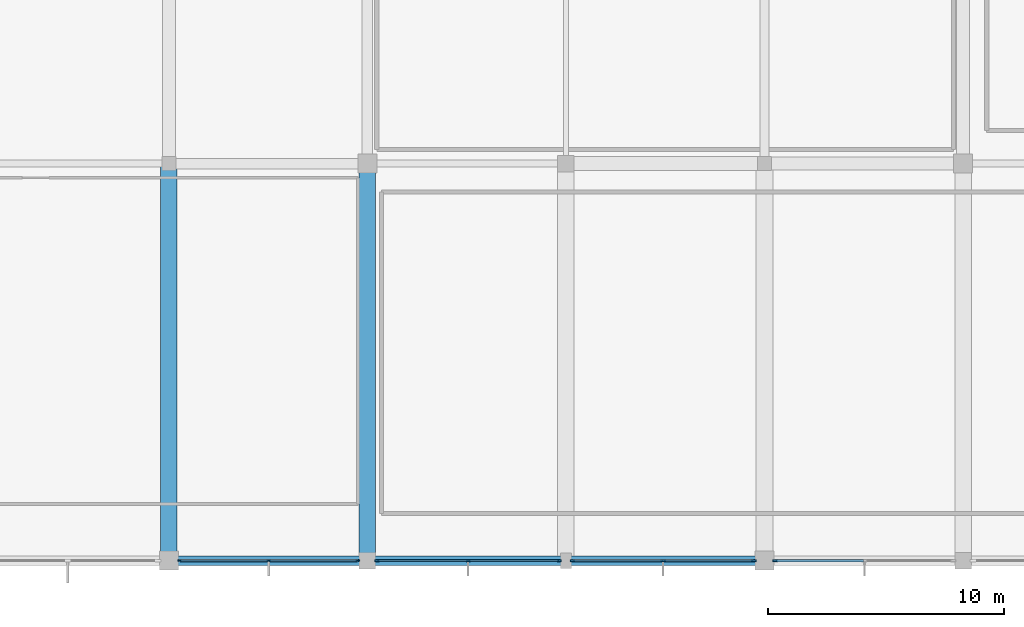
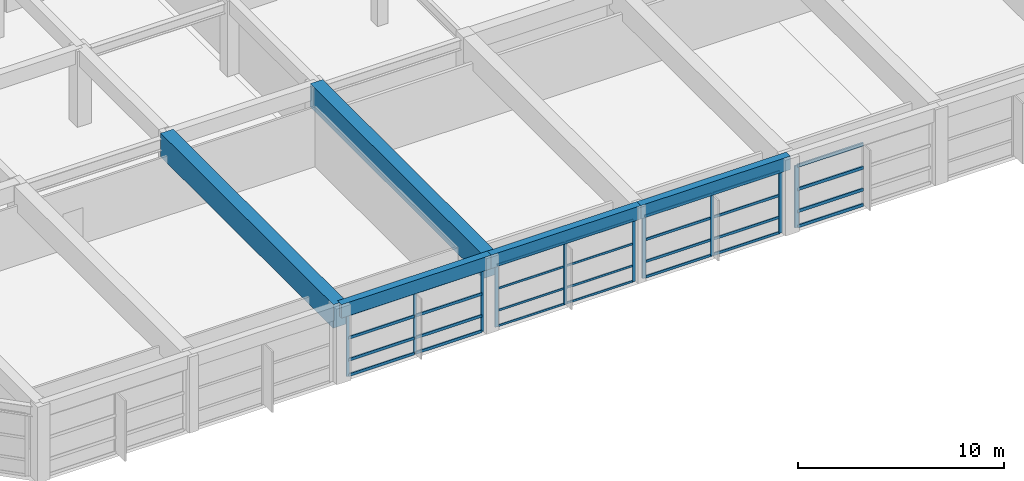
# One storey, part 11 of 65: 38 members, 5 beams, 4 elements without a shape of their own.
"""IFC4 building model written with IfcOpenShell, lengths in metres."""

from ifc_helpers import new_model, si_unit, direction, frame, origin, origin_2d, place, context, subcontext, project, spatial, rectangle, extrude, material, material_profile, profile_set, type_object, element, aggregate, save


model = new_model("IFC4")

# Units and contexts
model_context = context("Model", 3, precision=1e-05, world=origin(), true_north=direction((0.0, 1.0)))
body_context = subcontext(model_context, "Body", "Model", "MODEL_VIEW")
ifc_project = project(units=[si_unit("LENGTHUNIT", "METRE"), si_unit("AREAUNIT", "SQUARE_METRE"), si_unit("VOLUMEUNIT", "CUBIC_METRE"), si_unit("PLANEANGLEUNIT", "RADIAN"), si_unit("MASSUNIT", "GRAM", prefix="KILO")], contexts=[model_context])

# Site, building, storey
site_placement = place(None, origin())
site = spatial("IfcSite", under=ifc_project, at=site_placement, CompositionType="ELEMENT")
building_placement = place(site_placement, origin())
building = spatial("IfcBuilding", under=site, at=building_placement, Name="Xuanlan Plaza Opera House", CompositionType="ELEMENT")
storey_placement = place(building_placement, frame((0.0, 0.0, 5.39990234375)))
storey = spatial("IfcBuildingStorey", under=building, at=storey_placement, Name="L01", CompositionType="ELEMENT", Elevation=5.39990234375)

# Curtain wall, members
ifc_material_1 = material(Name="Anodised Aluminium 6063-T6 and Low-E Glass", Category="aluminium")
curtain_wall_type_1 = type_object("IfcCurtainWallType", Name="ENV-CW-CW-02", PredefinedType="USERDEFINED", material=ifc_material_1)
curtain_wall_1_placement = place(storey_placement, origin())
curtain_wall_1 = element("IfcCurtainWall", 1, at=curtain_wall_1_placement, inside=storey, type_object=curtain_wall_type_1, Name="Unitised Curtain Wall L01-003", ObjectType="UNITISED CURTAIN WALL", PredefinedType="USERDEFINED")
ifc_material_2 = material(Name="Anodised Aluminium 6063-T6", Category="aluminium")
ifc_material_profile_1 = material_profile(ifc_material_2, rectangle(XDim=0.06494140625, YDim=0.159912109375, at=origin_2d()), Name="ALU-M 65x160")
ifc_profile_set_1 = profile_set([ifc_material_profile_1], Name="Anodised Aluminium 6063-T6")
member_type_1 = type_object("IfcMemberType", Name="ENV-CWM-01", PredefinedType="MULLION", material=ifc_profile_set_1)
member_1_placement = place(storey_placement, frame((34.052490234375, 0.0, 0.0), z_axis=(0.0, 0.0, 1.0), x_axis=(0.0, 1.0, 0.0)))
member_1 = element("IfcMember", 2, at=member_1_placement, type_object=member_type_1, Name="CW-02 mullion 1", PredefinedType="MULLION", context=body_context, shape_type="SweptSolid", body=[
    extrude(rectangle(XDim=0.06494140625, YDim=0.159912109375, at=origin_2d()), origin(), (0.0, 0.0, 1.0), 3.68017578125),
])
member_2_placement = place(storey_placement, frame((37.824951171875, 0.0, 0.0), z_axis=(0.0, 0.0, 1.0), x_axis=(0.0, 1.0, 0.0)))
member_2 = element("IfcMember", 3, at=member_2_placement, type_object=member_type_1, Name="CW-02 mullion 2", PredefinedType="MULLION", context=body_context, shape_type="SweptSolid", body=[
    extrude(rectangle(XDim=0.06494140625, YDim=0.159912109375, at=origin_2d()), origin(), (0.0, 0.0, 1.0), 3.68017578125),
])
member_3_placement = place(storey_placement, frame((41.597412109375, 0.0, 0.0), z_axis=(0.0, 0.0, 1.0), x_axis=(0.0, 1.0, 0.0)))
member_3 = element("IfcMember", 4, at=member_3_placement, type_object=member_type_1, Name="CW-02 mullion 3", PredefinedType="MULLION", context=body_context, shape_type="SweptSolid", body=[
    extrude(rectangle(XDim=0.06494140625, YDim=0.159912109375, at=origin_2d()), origin(), (0.0, 0.0, 1.0), 3.68017578125),
])

curtain_wall_type_2 = type_object("IfcCurtainWallType", Name="ENV-CW-CW-03", PredefinedType="USERDEFINED", material=ifc_material_1)
curtain_wall_2_placement = place(storey_placement, origin())
curtain_wall_2 = element("IfcCurtainWall", 5, at=curtain_wall_2_placement, inside=storey, type_object=curtain_wall_type_2, Name="Unitised Curtain Wall L01-004", ObjectType="UNITISED CURTAIN WALL", PredefinedType="USERDEFINED")
ifc_material_profile_2 = material_profile(ifc_material_2, rectangle(XDim=0.070068359375, YDim=0.179931640625, at=origin_2d()), Name="ALU-M 70x180")
ifc_profile_set_2 = profile_set([ifc_material_profile_2], Name="Anodised Aluminium 6063-T6")
member_type_2 = type_object("IfcMemberType", Name="ENV-CWM-02", PredefinedType="MULLION", material=ifc_profile_set_2)
member_4_placement = place(storey_placement, frame((42.405029296875, 0.0, 0.0), z_axis=(0.0, 0.0, 1.0), x_axis=(0.0, 1.0, 0.0)))
member_4 = element("IfcMember", 6, at=member_4_placement, type_object=member_type_2, Name="CW-03 mullion 1", PredefinedType="MULLION", context=body_context, shape_type="SweptSolid", body=[
    extrude(rectangle(XDim=0.070068359375, YDim=0.179931640625, at=origin_2d()), origin(), (0.0, 0.0, 1.0), 3.68017578125),
])
member_5_placement = place(storey_placement, frame((46.262451171875, 0.0, 0.0), z_axis=(0.0, 0.0, 1.0), x_axis=(0.0, 1.0, 0.0)))
member_5 = element("IfcMember", 7, at=member_5_placement, type_object=member_type_2, Name="CW-03 mullion 2", PredefinedType="MULLION", context=body_context, shape_type="SweptSolid", body=[
    extrude(rectangle(XDim=0.070068359375, YDim=0.179931640625, at=origin_2d()), origin(), (0.0, 0.0, 1.0), 3.68017578125),
])
member_6_placement = place(storey_placement, frame((50.1201171875, 0.0, 0.0), z_axis=(0.0, 0.0, 1.0), x_axis=(0.0, 1.0, 0.0)))
member_6 = element("IfcMember", 8, at=member_6_placement, type_object=member_type_2, Name="CW-03 mullion 3", PredefinedType="MULLION", context=body_context, shape_type="SweptSolid", body=[
    extrude(rectangle(XDim=0.070068359375, YDim=0.179931640625, at=origin_2d()), origin(), (0.0, 0.0, 1.0), 3.68017578125),
])

curtain_wall_type_3 = type_object("IfcCurtainWallType", Name="ENV-CW-CW-04", PredefinedType="USERDEFINED", material=ifc_material_1)
curtain_wall_3_placement = place(storey_placement, origin())
curtain_wall_3 = element("IfcCurtainWall", 9, at=curtain_wall_3_placement, inside=storey, type_object=curtain_wall_type_3, Name="Unitised Curtain Wall L01-005", ObjectType="UNITISED CURTAIN WALL", PredefinedType="USERDEFINED")
ifc_material_profile_3 = material_profile(ifc_material_2, rectangle(XDim=0.074951171875, YDim=0.199951171875, at=origin_2d()), Name="ALU-M 75x200")
ifc_profile_set_3 = profile_set([ifc_material_profile_3], Name="Anodised Aluminium 6063-T6")
member_type_3 = type_object("IfcMemberType", Name="ENV-CWM-03", PredefinedType="MULLION", material=ifc_profile_set_3)
member_7_placement = place(storey_placement, frame((50.6826171875, 0.0, 0.0), z_axis=(0.0, 0.0, 1.0), x_axis=(0.0, 1.0, 0.0)))
member_7 = element("IfcMember", 10, at=member_7_placement, type_object=member_type_3, Name="CW-04 mullion 1", PredefinedType="MULLION", context=body_context, shape_type="SweptSolid", body=[
    extrude(rectangle(XDim=0.074951171875, YDim=0.199951171875, at=origin_2d()), origin(), (0.0, 0.0, 1.0), 3.68017578125),
])
member_8_placement = place(storey_placement, frame((54.512451171875, 0.0, 0.0), z_axis=(0.0, 0.0, 1.0), x_axis=(0.0, 1.0, 0.0)))
member_8 = element("IfcMember", 11, at=member_8_placement, type_object=member_type_3, Name="CW-04 mullion 2", PredefinedType="MULLION", context=body_context, shape_type="SweptSolid", body=[
    extrude(rectangle(XDim=0.074951171875, YDim=0.199951171875, at=origin_2d()), origin(), (0.0, 0.0, 1.0), 3.68017578125),
])
member_9_placement = place(storey_placement, frame((58.342529296875, 0.0, 0.0), z_axis=(0.0, 0.0, 1.0), x_axis=(0.0, 1.0, 0.0)))
member_9 = element("IfcMember", 12, at=member_9_placement, type_object=member_type_3, Name="CW-04 mullion 3", PredefinedType="MULLION", context=body_context, shape_type="SweptSolid", body=[
    extrude(rectangle(XDim=0.074951171875, YDim=0.199951171875, at=origin_2d()), origin(), (0.0, 0.0, 1.0), 3.68017578125),
])

# Curtain wall, member
curtain_wall_type_4 = type_object("IfcCurtainWallType", Name="ENV-CW-CW-05", PredefinedType="USERDEFINED", material=ifc_material_1)
curtain_wall_4_placement = place(storey_placement, origin())
curtain_wall_4 = element("IfcCurtainWall", 13, at=curtain_wall_4_placement, inside=storey, type_object=curtain_wall_type_4, Name="Acoustic Glazed Wall L01-006", ObjectType="ACOUSTIC GLAZED WALL", PredefinedType="USERDEFINED")
ifc_material_profile_4 = material_profile(ifc_material_2, rectangle(XDim=0.080078125, YDim=0.219970703125, at=origin_2d()), Name="ALU-M 80x220")
ifc_profile_set_4 = profile_set([ifc_material_profile_4], Name="Anodised Aluminium 6063-T6")
member_type_4 = type_object("IfcMemberType", Name="ENV-CWM-04", PredefinedType="MULLION", material=ifc_profile_set_4)
member_10_placement = place(storey_placement, frame((59.260009765625, 0.0, 0.0), z_axis=(0.0, 0.0, 1.0), x_axis=(0.0, 1.0, 0.0)))
member_10 = element("IfcMember", 14, at=member_10_placement, type_object=member_type_4, Name="CW-05 mullion 1", PredefinedType="MULLION", context=body_context, shape_type="SweptSolid", body=[
    extrude(rectangle(XDim=0.080078125, YDim=0.219970703125, at=origin_2d()), origin(), (0.0, 0.0, 1.0), 3.68017578125),
])

# Member
ifc_material_profile_5 = material_profile(ifc_material_2, rectangle(XDim=0.06494140625, YDim=0.1201171875, at=origin_2d()), Name="ALU-T 65x120")
ifc_profile_set_5 = profile_set([ifc_material_profile_5], Name="Anodised Aluminium 6063-T6")
member_type_5 = type_object("IfcMemberType", Name="ENV-CWT-01", PredefinedType="USERDEFINED", material=ifc_profile_set_5)
member_11_placement = place(storey_placement, frame((42.43994140625, 0.0, 0.03271484375), z_axis=(1.0, 0.0, 0.0), x_axis=(0.0, 1.0, 0.0)))
member_11 = element("IfcMember", 15, at=member_11_placement, type_object=member_type_5, Name="CW-03 transom 1.1", ObjectType="TRANSOM", PredefinedType="USERDEFINED", context=body_context, shape_type="SweptSolid", body=[
    extrude(rectangle(XDim=0.06494140625, YDim=0.1201171875, at=origin_2d()), origin(), (0.0, 0.0, 1.0), 3.78759765625),
])

member_12_placement = place(storey_placement, frame((42.43994140625, 0.0, 0.9501953125), z_axis=(1.0, 0.0, 0.0), x_axis=(0.0, 1.0, 0.0)))
member_12 = element("IfcMember", 16, at=member_12_placement, type_object=member_type_5, Name="CW-03 transom 1.2", ObjectType="TRANSOM", PredefinedType="USERDEFINED", context=body_context, shape_type="SweptSolid", body=[
    extrude(rectangle(XDim=0.06494140625, YDim=0.1201171875, at=origin_2d()), origin(), (0.0, 0.0, 1.0), 3.78759765625),
])

member_13_placement = place(storey_placement, frame((42.43994140625, 0.0, 2.25), z_axis=(1.0, 0.0, 0.0), x_axis=(0.0, 1.0, 0.0)))
member_13 = element("IfcMember", 17, at=member_13_placement, type_object=member_type_5, Name="CW-03 transom 1.3", ObjectType="TRANSOM", PredefinedType="USERDEFINED", context=body_context, shape_type="SweptSolid", body=[
    extrude(rectangle(XDim=0.06494140625, YDim=0.1201171875, at=origin_2d()), origin(), (0.0, 0.0, 1.0), 3.78759765625),
])

member_14_placement = place(storey_placement, frame((42.43994140625, 0.0, 3.647705078125), z_axis=(1.0, 0.0, 0.0), x_axis=(0.0, 1.0, 0.0)))
member_14 = element("IfcMember", 18, at=member_14_placement, type_object=member_type_5, Name="CW-03 transom 1.4", ObjectType="TRANSOM", PredefinedType="USERDEFINED", context=body_context, shape_type="SweptSolid", body=[
    extrude(rectangle(XDim=0.06494140625, YDim=0.1201171875, at=origin_2d()), origin(), (0.0, 0.0, 1.0), 3.78759765625),
])

member_15_placement = place(storey_placement, frame((46.297607421875, 0.0, 0.03271484375), z_axis=(1.0, 0.0, 0.0), x_axis=(0.0, 1.0, 0.0)))
member_15 = element("IfcMember", 19, at=member_15_placement, type_object=member_type_5, Name="CW-03 transom 2.1", ObjectType="TRANSOM", PredefinedType="USERDEFINED", context=body_context, shape_type="SweptSolid", body=[
    extrude(rectangle(XDim=0.06494140625, YDim=0.1201171875, at=origin_2d()), origin(), (0.0, 0.0, 1.0), 3.787353515625),
])

member_16_placement = place(storey_placement, frame((46.297607421875, 0.0, 0.9501953125), z_axis=(1.0, 0.0, 0.0), x_axis=(0.0, 1.0, 0.0)))
member_16 = element("IfcMember", 20, at=member_16_placement, type_object=member_type_5, Name="CW-03 transom 2.2", ObjectType="TRANSOM", PredefinedType="USERDEFINED", context=body_context, shape_type="SweptSolid", body=[
    extrude(rectangle(XDim=0.06494140625, YDim=0.1201171875, at=origin_2d()), origin(), (0.0, 0.0, 1.0), 3.787353515625),
])

member_17_placement = place(storey_placement, frame((46.297607421875, 0.0, 2.25), z_axis=(1.0, 0.0, 0.0), x_axis=(0.0, 1.0, 0.0)))
member_17 = element("IfcMember", 21, at=member_17_placement, type_object=member_type_5, Name="CW-03 transom 2.3", ObjectType="TRANSOM", PredefinedType="USERDEFINED", context=body_context, shape_type="SweptSolid", body=[
    extrude(rectangle(XDim=0.06494140625, YDim=0.1201171875, at=origin_2d()), origin(), (0.0, 0.0, 1.0), 3.787353515625),
])

member_18_placement = place(storey_placement, frame((46.297607421875, 0.0, 3.647705078125), z_axis=(1.0, 0.0, 0.0), x_axis=(0.0, 1.0, 0.0)))
member_18 = element("IfcMember", 22, at=member_18_placement, type_object=member_type_5, Name="CW-03 transom 2.4", ObjectType="TRANSOM", PredefinedType="USERDEFINED", context=body_context, shape_type="SweptSolid", body=[
    extrude(rectangle(XDim=0.06494140625, YDim=0.1201171875, at=origin_2d()), origin(), (0.0, 0.0, 1.0), 3.787353515625),
])

aggregate(curtain_wall_2, [member_4, member_5, member_6, member_11, member_12, member_13, member_14, member_15, member_16, member_17, member_18])

ifc_material_profile_6 = material_profile(ifc_material_2, rectangle(XDim=0.074951171875, YDim=0.14990234375, at=origin_2d()), Name="ALU-T 75x150")
ifc_profile_set_6 = profile_set([ifc_material_profile_6], Name="Anodised Aluminium 6063-T6")
member_type_6 = type_object("IfcMemberType", Name="ENV-CWT-03", PredefinedType="USERDEFINED", material=ifc_profile_set_6)
member_19_placement = place(storey_placement, frame((50.719970703125, 0.0, 0.03759765625), z_axis=(1.0, 0.0, 0.0), x_axis=(0.0, 1.0, 0.0)))
member_19 = element("IfcMember", 23, at=member_19_placement, type_object=member_type_6, Name="CW-04 transom 1.1", ObjectType="TRANSOM", PredefinedType="USERDEFINED", context=body_context, shape_type="SweptSolid", body=[
    extrude(rectangle(XDim=0.074951171875, YDim=0.14990234375, at=origin_2d()), origin(), (0.0, 0.0, 1.0), 3.755126953125),
])

member_20_placement = place(storey_placement, frame((50.719970703125, 0.0, 0.9501953125), z_axis=(1.0, 0.0, 0.0), x_axis=(0.0, 1.0, 0.0)))
member_20 = element("IfcMember", 24, at=member_20_placement, type_object=member_type_6, Name="CW-04 transom 1.2", ObjectType="TRANSOM", PredefinedType="USERDEFINED", context=body_context, shape_type="SweptSolid", body=[
    extrude(rectangle(XDim=0.074951171875, YDim=0.14990234375, at=origin_2d()), origin(), (0.0, 0.0, 1.0), 3.755126953125),
])

member_21_placement = place(storey_placement, frame((50.719970703125, 0.0, 2.25), z_axis=(1.0, 0.0, 0.0), x_axis=(0.0, 1.0, 0.0)))
member_21 = element("IfcMember", 25, at=member_21_placement, type_object=member_type_6, Name="CW-04 transom 1.3", ObjectType="TRANSOM", PredefinedType="USERDEFINED", context=body_context, shape_type="SweptSolid", body=[
    extrude(rectangle(XDim=0.074951171875, YDim=0.14990234375, at=origin_2d()), origin(), (0.0, 0.0, 1.0), 3.755126953125),
])

member_22_placement = place(storey_placement, frame((50.719970703125, 0.0, 3.642578125), z_axis=(1.0, 0.0, 0.0), x_axis=(0.0, 1.0, 0.0)))
member_22 = element("IfcMember", 26, at=member_22_placement, type_object=member_type_6, Name="CW-04 transom 1.4", ObjectType="TRANSOM", PredefinedType="USERDEFINED", context=body_context, shape_type="SweptSolid", body=[
    extrude(rectangle(XDim=0.074951171875, YDim=0.14990234375, at=origin_2d()), origin(), (0.0, 0.0, 1.0), 3.755126953125),
])

member_23_placement = place(storey_placement, frame((54.550048828125, 0.0, 0.03759765625), z_axis=(1.0, 0.0, 0.0), x_axis=(0.0, 1.0, 0.0)))
member_23 = element("IfcMember", 27, at=member_23_placement, type_object=member_type_6, Name="CW-04 transom 2.1", ObjectType="TRANSOM", PredefinedType="USERDEFINED", context=body_context, shape_type="SweptSolid", body=[
    extrude(rectangle(XDim=0.074951171875, YDim=0.14990234375, at=origin_2d()), origin(), (0.0, 0.0, 1.0), 3.7548828125),
])

member_24_placement = place(storey_placement, frame((54.550048828125, 0.0, 0.9501953125), z_axis=(1.0, 0.0, 0.0), x_axis=(0.0, 1.0, 0.0)))
member_24 = element("IfcMember", 28, at=member_24_placement, type_object=member_type_6, Name="CW-04 transom 2.2", ObjectType="TRANSOM", PredefinedType="USERDEFINED", context=body_context, shape_type="SweptSolid", body=[
    extrude(rectangle(XDim=0.074951171875, YDim=0.14990234375, at=origin_2d()), origin(), (0.0, 0.0, 1.0), 3.7548828125),
])

member_25_placement = place(storey_placement, frame((54.550048828125, 0.0, 2.25), z_axis=(1.0, 0.0, 0.0), x_axis=(0.0, 1.0, 0.0)))
member_25 = element("IfcMember", 29, at=member_25_placement, type_object=member_type_6, Name="CW-04 transom 2.3", ObjectType="TRANSOM", PredefinedType="USERDEFINED", context=body_context, shape_type="SweptSolid", body=[
    extrude(rectangle(XDim=0.074951171875, YDim=0.14990234375, at=origin_2d()), origin(), (0.0, 0.0, 1.0), 3.7548828125),
])

member_26_placement = place(storey_placement, frame((54.550048828125, 0.0, 3.642578125), z_axis=(1.0, 0.0, 0.0), x_axis=(0.0, 1.0, 0.0)))
member_26 = element("IfcMember", 30, at=member_26_placement, type_object=member_type_6, Name="CW-04 transom 2.4", ObjectType="TRANSOM", PredefinedType="USERDEFINED", context=body_context, shape_type="SweptSolid", body=[
    extrude(rectangle(XDim=0.074951171875, YDim=0.14990234375, at=origin_2d()), origin(), (0.0, 0.0, 1.0), 3.7548828125),
])

aggregate(curtain_wall_3, [member_7, member_8, member_9, member_19, member_20, member_21, member_22, member_23, member_24, member_25, member_26])

ifc_material_profile_7 = material_profile(ifc_material_2, rectangle(XDim=0.080078125, YDim=0.1650390625, at=origin_2d()), Name="ALU-T 80x165")
ifc_profile_set_7 = profile_set([ifc_material_profile_7], Name="Anodised Aluminium 6063-T6")
member_type_7 = type_object("IfcMemberType", Name="ENV-CWT-04", PredefinedType="USERDEFINED", material=ifc_profile_set_7)
member_27_placement = place(storey_placement, frame((34.0849609375, 0.0, 0.0400390625), z_axis=(1.0, 0.0, 0.0), x_axis=(0.0, 1.0, 0.0)))
member_27 = element("IfcMember", 31, at=member_27_placement, type_object=member_type_7, Name="CW-02 transom 1.1", ObjectType="TRANSOM", PredefinedType="USERDEFINED", context=body_context, shape_type="SweptSolid", body=[
    extrude(rectangle(XDim=0.080078125, YDim=0.1650390625, at=origin_2d()), origin(), (0.0, 0.0, 1.0), 3.70751953125),
])

member_28_placement = place(storey_placement, frame((34.0849609375, 0.0, 0.9501953125), z_axis=(1.0, 0.0, 0.0), x_axis=(0.0, 1.0, 0.0)))
member_28 = element("IfcMember", 32, at=member_28_placement, type_object=member_type_7, Name="CW-02 transom 1.2", ObjectType="TRANSOM", PredefinedType="USERDEFINED", context=body_context, shape_type="SweptSolid", body=[
    extrude(rectangle(XDim=0.080078125, YDim=0.1650390625, at=origin_2d()), origin(), (0.0, 0.0, 1.0), 3.70751953125),
])

member_29_placement = place(storey_placement, frame((34.0849609375, 0.0, 2.25), z_axis=(1.0, 0.0, 0.0), x_axis=(0.0, 1.0, 0.0)))
member_29 = element("IfcMember", 33, at=member_29_placement, type_object=member_type_7, Name="CW-02 transom 1.3", ObjectType="TRANSOM", PredefinedType="USERDEFINED", context=body_context, shape_type="SweptSolid", body=[
    extrude(rectangle(XDim=0.080078125, YDim=0.1650390625, at=origin_2d()), origin(), (0.0, 0.0, 1.0), 3.70751953125),
])

member_30_placement = place(storey_placement, frame((34.0849609375, 0.0, 3.64013671875), z_axis=(1.0, 0.0, 0.0), x_axis=(0.0, 1.0, 0.0)))
member_30 = element("IfcMember", 34, at=member_30_placement, type_object=member_type_7, Name="CW-02 transom 1.4", ObjectType="TRANSOM", PredefinedType="USERDEFINED", context=body_context, shape_type="SweptSolid", body=[
    extrude(rectangle(XDim=0.080078125, YDim=0.1650390625, at=origin_2d()), origin(), (0.0, 0.0, 1.0), 3.70751953125),
])

member_31_placement = place(storey_placement, frame((37.857421875, 0.0, 0.0400390625), z_axis=(1.0, 0.0, 0.0), x_axis=(0.0, 1.0, 0.0)))
member_31 = element("IfcMember", 35, at=member_31_placement, type_object=member_type_7, Name="CW-02 transom 2.1", ObjectType="TRANSOM", PredefinedType="USERDEFINED", context=body_context, shape_type="SweptSolid", body=[
    extrude(rectangle(XDim=0.080078125, YDim=0.1650390625, at=origin_2d()), origin(), (0.0, 0.0, 1.0), 3.70751953125),
])

member_32_placement = place(storey_placement, frame((37.857421875, 0.0, 0.9501953125), z_axis=(1.0, 0.0, 0.0), x_axis=(0.0, 1.0, 0.0)))
member_32 = element("IfcMember", 36, at=member_32_placement, type_object=member_type_7, Name="CW-02 transom 2.2", ObjectType="TRANSOM", PredefinedType="USERDEFINED", context=body_context, shape_type="SweptSolid", body=[
    extrude(rectangle(XDim=0.080078125, YDim=0.1650390625, at=origin_2d()), origin(), (0.0, 0.0, 1.0), 3.70751953125),
])

member_33_placement = place(storey_placement, frame((37.857421875, 0.0, 2.25), z_axis=(1.0, 0.0, 0.0), x_axis=(0.0, 1.0, 0.0)))
member_33 = element("IfcMember", 37, at=member_33_placement, type_object=member_type_7, Name="CW-02 transom 2.3", ObjectType="TRANSOM", PredefinedType="USERDEFINED", context=body_context, shape_type="SweptSolid", body=[
    extrude(rectangle(XDim=0.080078125, YDim=0.1650390625, at=origin_2d()), origin(), (0.0, 0.0, 1.0), 3.70751953125),
])

member_34_placement = place(storey_placement, frame((37.857421875, 0.0, 3.64013671875), z_axis=(1.0, 0.0, 0.0), x_axis=(0.0, 1.0, 0.0)))
member_34 = element("IfcMember", 38, at=member_34_placement, type_object=member_type_7, Name="CW-02 transom 2.4", ObjectType="TRANSOM", PredefinedType="USERDEFINED", context=body_context, shape_type="SweptSolid", body=[
    extrude(rectangle(XDim=0.080078125, YDim=0.1650390625, at=origin_2d()), origin(), (0.0, 0.0, 1.0), 3.70751953125),
])

aggregate(curtain_wall_1, [member_1, member_2, member_3, member_27, member_28, member_29, member_30, member_31, member_32, member_33, member_34])

ifc_material_profile_8 = material_profile(ifc_material_2, rectangle(XDim=0.090087890625, YDim=0.179931640625, at=origin_2d()), Name="ALU-T 90x180")
ifc_profile_set_8 = profile_set([ifc_material_profile_8], Name="Anodised Aluminium 6063-T6")
member_type_8 = type_object("IfcMemberType", Name="ENV-CWT-05", PredefinedType="USERDEFINED", material=ifc_profile_set_8)
member_35_placement = place(storey_placement, frame((59.300048828125, 0.0, 0.045166015625), z_axis=(1.0, 0.0, 0.0), x_axis=(0.0, 1.0, 0.0)))
member_35 = element("IfcMember", 39, at=member_35_placement, type_object=member_type_8, Name="CW-05 transom 1.1", ObjectType="TRANSOM", PredefinedType="USERDEFINED", context=body_context, shape_type="SweptSolid", body=[
    extrude(rectangle(XDim=0.090087890625, YDim=0.179931640625, at=origin_2d()), origin(), (0.0, 0.0, 1.0), 3.68505859375),
])

member_36_placement = place(storey_placement, frame((59.300048828125, 0.0, 0.9501953125), z_axis=(1.0, 0.0, 0.0), x_axis=(0.0, 1.0, 0.0)))
member_36 = element("IfcMember", 40, at=member_36_placement, type_object=member_type_8, Name="CW-05 transom 1.2", ObjectType="TRANSOM", PredefinedType="USERDEFINED", context=body_context, shape_type="SweptSolid", body=[
    extrude(rectangle(XDim=0.090087890625, YDim=0.179931640625, at=origin_2d()), origin(), (0.0, 0.0, 1.0), 3.68505859375),
])

member_37_placement = place(storey_placement, frame((59.300048828125, 0.0, 2.25), z_axis=(1.0, 0.0, 0.0), x_axis=(0.0, 1.0, 0.0)))
member_37 = element("IfcMember", 41, at=member_37_placement, type_object=member_type_8, Name="CW-05 transom 1.3", ObjectType="TRANSOM", PredefinedType="USERDEFINED", context=body_context, shape_type="SweptSolid", body=[
    extrude(rectangle(XDim=0.090087890625, YDim=0.179931640625, at=origin_2d()), origin(), (0.0, 0.0, 1.0), 3.68505859375),
])

member_38_placement = place(storey_placement, frame((59.300048828125, 0.0, 3.635009765625), z_axis=(1.0, 0.0, 0.0), x_axis=(0.0, 1.0, 0.0)))
member_38 = element("IfcMember", 42, at=member_38_placement, type_object=member_type_8, Name="CW-05 transom 1.4", ObjectType="TRANSOM", PredefinedType="USERDEFINED", context=body_context, shape_type="SweptSolid", body=[
    extrude(rectangle(XDim=0.090087890625, YDim=0.179931640625, at=origin_2d()), origin(), (0.0, 0.0, 1.0), 3.68505859375),
])

aggregate(curtain_wall_4, [member_10, member_35, member_36, member_37, member_38])

# Beams
ifc_material_3 = material(Name="Concrete C50", Category="concrete")
ifc_material_profile_9 = material_profile(ifc_material_3, rectangle(XDim=0.699951171875, YDim=1.39990234375, at=origin_2d()), Name="RC-LG 700x1400")
ifc_profile_set_9 = profile_set([ifc_material_profile_9], Name="Concrete C50")
beam_type_1 = type_object("IfcBeamType", Name="STR-BM-LG-01", PredefinedType="BEAM", material=ifc_profile_set_9)
for number, where, z_axis, x_axis, name in (
    (43, (33.60009765625, 0.0, 3.800048828125), (0.0, 1.0, 0.0), (-1.0, 0.0, 0.0), "Grid Beam Y L01 5/A-C"),
    (44, (42.0, 0.0, 3.800048828125), (0.0, 1.0, 0.0), (-1.0, 0.0, 0.0), "Grid Beam Y L01 6/A-C"),
):
    element("IfcBeam", number, at=place(storey_placement, frame(where, z_axis=z_axis, x_axis=x_axis)), inside=storey, type_object=beam_type_1, Name=name, PredefinedType="BEAM", context=body_context, shape_type="SweptSolid", body=[
        extrude(rectangle(XDim=0.699951171875, YDim=1.39990234375, at=origin_2d()), origin(), (0.0, 0.0, 1.0), 16.800048828125),
    ])
ifc_material_4 = material(Name="Concrete C40", Category="concrete")
ifc_material_profile_10 = material_profile(ifc_material_4, rectangle(XDim=0.39990234375, YDim=0.800048828125, at=origin_2d()), Name="RC-SPD 400x800")
ifc_profile_set_10 = profile_set([ifc_material_profile_10], Name="Concrete C40")
beam_type_2 = type_object("IfcBeamType", Name="STR-BM-SP-01", PredefinedType="SPANDREL", material=ifc_profile_set_10)
for number, where, z_axis, x_axis, name in (
    (45, (33.60009765625, 0.0, 4.10009765625), (1.0, 0.0, 0.0), (0.0, 1.0, 0.0), "Grid Beam X L01 5-6/A"),
    (46, (42.0, 0.0, 4.10009765625), (1.0, 0.0, 0.0), (0.0, 1.0, 0.0), "Grid Beam X L01 6-7/A"),
):
    element("IfcBeam", number, at=place(storey_placement, frame(where, z_axis=z_axis, x_axis=x_axis)), inside=storey, type_object=beam_type_2, Name=name, PredefinedType="SPANDREL", context=body_context, shape_type="SweptSolid", body=[
        extrude(rectangle(XDim=0.39990234375, YDim=0.800048828125, at=origin_2d()), origin(), (0.0, 0.0, 1.0), 8.39990234375),
    ])
beam_placement = place(storey_placement, frame((50.39990234375, 0.0, 4.10009765625), z_axis=(1.0, 0.0, 0.0), x_axis=(0.0, 1.0, 0.0)))
element("IfcBeam", 47, at=beam_placement, inside=storey, type_object=beam_type_2, Name="Grid Beam X L01 7-8/A", PredefinedType="SPANDREL", context=body_context, shape_type="SweptSolid", body=[
    extrude(rectangle(XDim=0.39990234375, YDim=0.800048828125, at=origin_2d()), origin(), (0.0, 0.0, 1.0), 8.400146484375),
])

save(model, "model.ifc")
